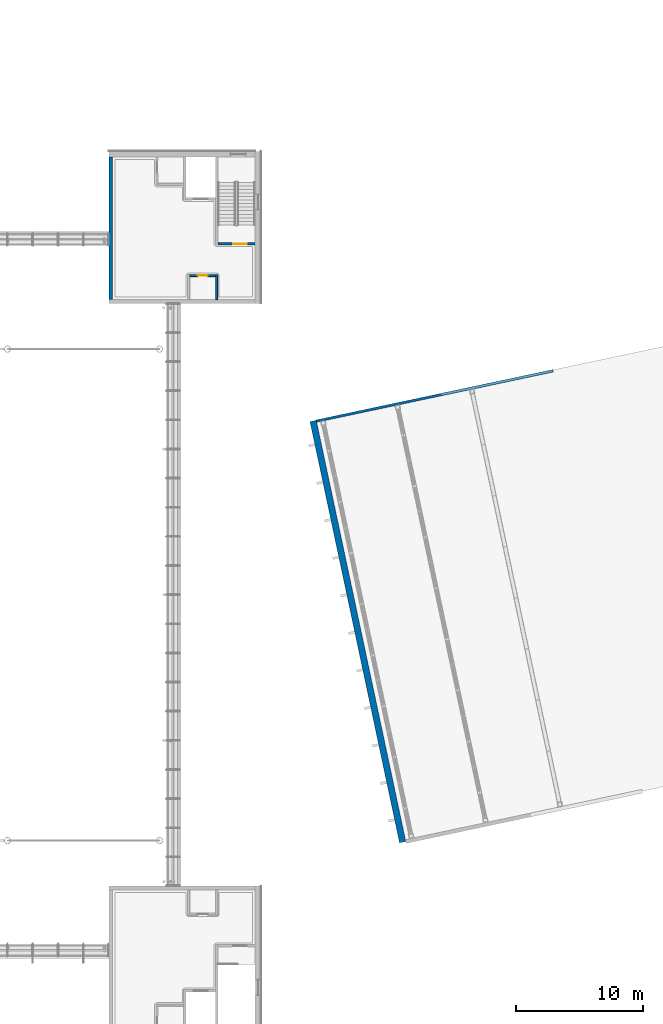
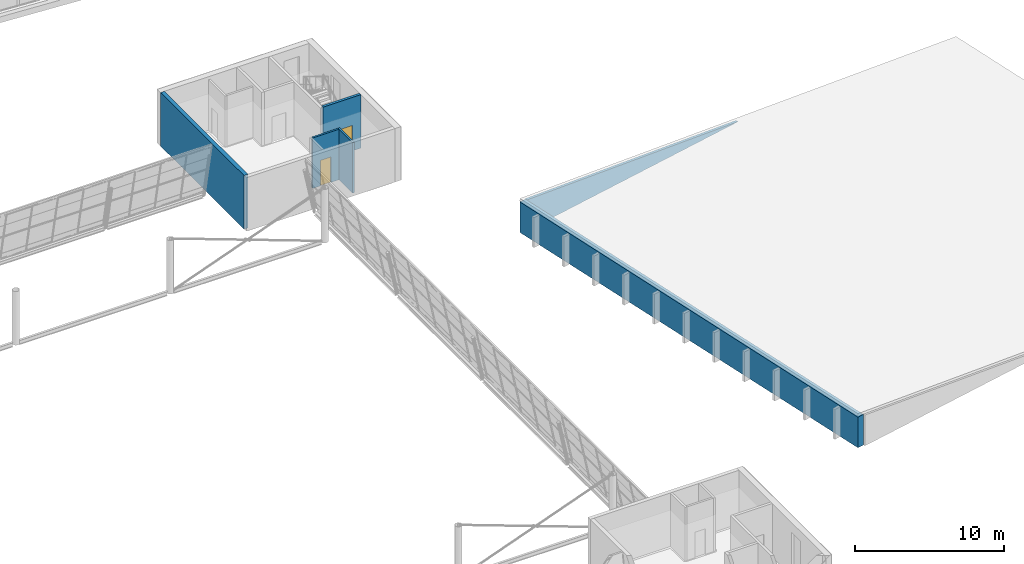
# One storey, part 32 of 50: 6 walls, 2 doors, 2 openings.
"""IFC4 building model written with IfcOpenShell, lengths in metres."""

from ifc_helpers import new_model, si_unit, direction, frame, frame_2d, origin, place, context, subcontext, project, spatial, polyline, rectangle, outline, extrude, material, layer, layer_set, type_object, element, fill, save


model = new_model("IFC4")

# Units and contexts
model_context = context("Model", 3, precision=1e-05, world=origin(), true_north=direction((0.0, 1.0)))
body_context = subcontext(model_context, "Body", "Model", "MODEL_VIEW")
ifc_project = project(units=[si_unit("LENGTHUNIT", "METRE"), si_unit("AREAUNIT", "SQUARE_METRE"), si_unit("VOLUMEUNIT", "CUBIC_METRE"), si_unit("PLANEANGLEUNIT", "RADIAN"), si_unit("MASSUNIT", "GRAM", prefix="KILO")], contexts=[model_context])

# Site, building, storey
site_placement = place(None, origin())
site = spatial("IfcSite", under=ifc_project, at=site_placement, CompositionType="ELEMENT")
building_placement = place(site_placement, origin())
building = spatial("IfcBuilding", under=site, at=building_placement, Name="Windward Yard Aquatics Centre", CompositionType="ELEMENT")
storey_placement = place(building_placement, frame((0.0, 0.0, 18.199951171875)))
storey = spatial("IfcBuildingStorey", under=building, at=storey_placement, Name="L04", CompositionType="ELEMENT", Elevation=18.199951171875)

# Walls
ifc_material_1 = material(Name="Concrete C35/45", Category="concrete")
ifc_layer_1 = layer(ifc_material_1, 0.199951171875)
ifc_layer_set_1 = layer_set([ifc_layer_1], Name="D north fascia wall 200")
wall_type_1 = type_object("IfcWallType", Name="D north fascia wall 200", PredefinedType="SOLIDWALL", material=ifc_layer_set_1)
wall_1_placement = place(storey_placement, frame((156.38427734375, 74.713623046875, 0.0), z_axis=(0.0, 0.0, 1.0), x_axis=(0.978148711503, 0.207906464992, 0.0)))
element("IfcWall", 1, at=wall_1_placement, inside=storey, type_object=wall_type_1, Name="D.W.FA.L04", PredefinedType="SOLIDWALL", context=body_context, shape_type="SweptSolid", body=[
    extrude(outline(polyline([(0.0, 0.0), (19.094970703125, 0.0), (19.094970703125, 0.02001953125), (0.0, 2.532470703125), (0.0, 0.0)])), frame((0.0, 0.10009765625, 0.0), z_axis=(0.0, -1.0, 0.0), x_axis=(1.0, 0.0, 0.0)), (0.0, 0.0, 1.0), 0.199951171875),
])
ifc_layer_2 = layer(ifc_material_1, 0.5)
ifc_layer_set_2 = layer_set([ifc_layer_2], Name="D tower end wall 500")
wall_type_2 = type_object("IfcWallType", Name="D tower end wall 500", PredefinedType="SOLIDWALL", material=ifc_layer_set_2)
wall_2_placement = place(storey_placement, frame((163.194091796875, 41.47314453125, 0.0), z_axis=(0.0, 0.0, 1.0), x_axis=(-0.20790710573, 0.978148575313, 0.0)))
element("IfcWall", 2, at=wall_2_placement, inside=storey, type_object=wall_type_2, Name="D.W.W.L04", PredefinedType="SOLIDWALL", context=body_context, shape_type="SweptSolid", body=[
    extrude(rectangle(XDim=34.0, YDim=0.5, at=frame_2d((17.0, 0.0))), origin(), (0.0, 0.0, 1.0), 2.512451171875),
])

# Wall, opening, door
ifc_layer_3 = layer(ifc_material_1, 0.199951171875)
ifc_layer_set_3 = layer_set([ifc_layer_3], Name="H Enclosure Wall Concrete C35/45 200")
wall_type_3 = type_object("IfcWallType", Name="H Enclosure Wall Concrete C35/45 200", PredefinedType="SOLIDWALL", material=ifc_layer_set_3)
wall_3_placement = place(storey_placement, frame((151.550048828125, 88.699951171875, 0.0), z_axis=(0.0, 0.0, 1.0), x_axis=(-1.0, 0.0, 0.0)))
wall_3 = element("IfcWall", 3, at=wall_3_placement, inside=storey, type_object=wall_type_3, Name="L04 W2 enclosure wall NE", PredefinedType="SOLIDWALL", context=body_context, shape_type="SweptSolid", body=[
    extrude(rectangle(XDim=2.949951171875, YDim=0.199951171875, at=frame_2d((1.47509765625, 0.0))), origin(), (0.0, 0.0, 1.0), 4.400146484375),
])
opening_1_placement = place(wall_3_placement, frame((0.64990234375, 0.0, 0.0)))
opening_1 = element("IfcOpeningElement", 4, at=opening_1_placement, cuts=wall_3, Name="Opening H4009", PredefinedType="OPENING", context=body_context, shape_type="SweptSolid", body=[
    extrude(rectangle(XDim=1.10009765625, YDim=2.10009765625, at=frame_2d((0.550048828125, 1.050048828125))), frame((0.0, 0.10986328125, 0.0), z_axis=(0.0, -1.0, 0.0), x_axis=(1.0, 0.0, 0.0)), (0.0, 0.0, 1.0), 0.219970703125),
])
ifc_material_2 = material(Name="Steel and timber door leaf", Category="steel")
door_type_1 = type_object("IfcDoorType", Name="H Door Single 1100 x 2100 FD60", OperationType="NOTDEFINED", PredefinedType="DOOR", material=ifc_material_2)
door_1_placement = place(opening_1_placement, origin())
door_1 = element("IfcDoor", 5, at=door_1_placement, inside=storey, type_object=door_type_1, Name="L04 stair NE door", OperationType="SINGLE_SWING_LEFT", OverallHeight=2.10009765625, OverallWidth=1.10009765625, PredefinedType="DOOR", context=body_context, shape_type="SweptSolid", body=[
    extrude(rectangle(XDim=1.10009765625, YDim=2.10009765625, at=frame_2d((0.550048828125, 1.050048828125))), frame((0.0, 0.02490234375, 0.0), z_axis=(0.0, -1.0, 0.0), x_axis=(1.0, 0.0, 0.0)), (0.0, 0.0, 1.0), 0.050048828125),
])
fill(opening_1, door_1)

ifc_material_3 = material(Name="Blockwork 150 mm", Category="masonry")
ifc_layer_4 = layer(ifc_material_3, 0.14990234375)
ifc_layer_set_4 = layer_set([ifc_layer_4], Name="H Partition Blockwork 150")
wall_type_4 = type_object("IfcWallType", Name="H Partition Blockwork 150", PredefinedType="PARTITIONING", material=ifc_layer_set_4)
wall_4_placement = place(storey_placement, frame((148.425048828125, 86.199951171875, 0.0), z_axis=(0.0, 0.0, 1.0), x_axis=(-1.0, 0.0, 0.0)))
wall_4 = element("IfcWall", 6, at=wall_4_placement, inside=storey, type_object=wall_type_4, Name="L04 R2S riser wall NE", PredefinedType="PARTITIONING", context=body_context, shape_type="SweptSolid", body=[
    extrude(rectangle(XDim=2.050048828125, YDim=0.14990234375, at=frame_2d((1.02490234375, 0.0))), origin(), (0.0, 0.0, 1.0), 4.150146484375),
])
opening_2_placement = place(wall_4_placement, frame((0.625, 0.0, 0.0)))
opening_2 = element("IfcOpeningElement", 7, at=opening_2_placement, cuts=wall_4, Name="Opening H4012", PredefinedType="OPENING", context=body_context, shape_type="SweptSolid", body=[
    extrude(rectangle(XDim=0.800048828125, YDim=2.10009765625, at=frame_2d((0.39990234375, 1.050048828125))), frame((0.0, 0.0849609375, 0.0), z_axis=(0.0, -1.0, 0.0), x_axis=(1.0, 0.0, 0.0)), (0.0, 0.0, 1.0), 0.169921875),
])
door_type_2 = type_object("IfcDoorType", Name="H Door Riser 800 x 2100 FD60", OperationType="NOTDEFINED", PredefinedType="DOOR", material=ifc_material_2)
door_2_placement = place(opening_2_placement, origin())
door_2 = element("IfcDoor", 8, at=door_2_placement, inside=storey, type_object=door_type_2, Name="L04 communications riser NE door", OperationType="SINGLE_SWING_LEFT", OverallHeight=2.10009765625, OverallWidth=0.800048828125, PredefinedType="DOOR", context=body_context, shape_type="SweptSolid", body=[
    extrude(rectangle(XDim=0.800048828125, YDim=2.10009765625, at=frame_2d((0.39990234375, 1.050048828125))), frame((0.0, 0.02490234375, 0.0), z_axis=(0.0, -1.0, 0.0), x_axis=(1.0, 0.0, 0.0)), (0.0, 0.0, 1.0), 0.050048828125),
])
fill(opening_2, door_2)

# Walls
wall_5_placement = place(storey_placement, frame((148.5, 86.27490234375, 0.0), z_axis=(0.0, 0.0, 1.0), x_axis=(0.0, -1.0, 0.0)))
element("IfcWall", 9, at=wall_5_placement, inside=storey, type_object=wall_type_4, Name="L04 R2W riser wall NE", PredefinedType="PARTITIONING", context=body_context, shape_type="SweptSolid", body=[
    extrude(rectangle(XDim=1.974853515625, YDim=0.14990234375, at=frame_2d((0.9873046875, 0.0))), origin(), (0.0, 0.0, 1.0), 4.150146484375),
])
ifc_layer_5 = layer(ifc_material_1, 0.300048828125)
ifc_layer_set_5 = layer_set([ifc_layer_5], Name="H rear wall 300 C35/45")
wall_type_5 = type_object("IfcWallType", Name="H rear wall 300 C35/45", PredefinedType="SOLIDWALL", material=ifc_layer_set_5)
wall_6_placement = place(storey_placement, frame((140.14990234375, 95.550048828125, 0.0), z_axis=(0.0, 0.0, 1.0), x_axis=(0.0, -1.0, 0.0)))
element("IfcWall", 10, at=wall_6_placement, inside=storey, type_object=wall_type_5, Name="H.CW.NE.W.L04", PredefinedType="SOLIDWALL", context=body_context, shape_type="SweptSolid", body=[
    extrude(rectangle(XDim=11.25, YDim=0.300048828125, at=frame_2d((5.625, 0.0))), origin(), (0.0, 0.0, 1.0), 4.400146484375),
])

save(model, "model.ifc")
